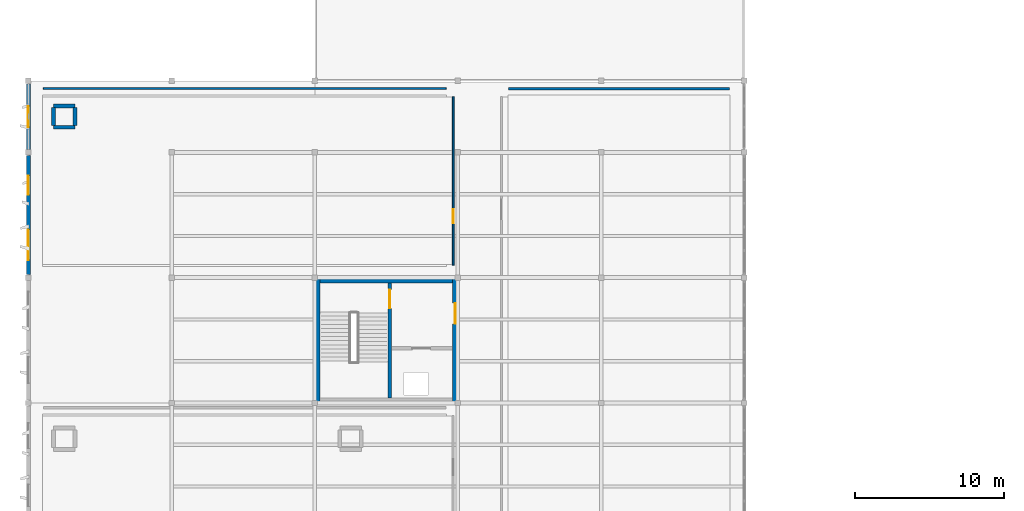
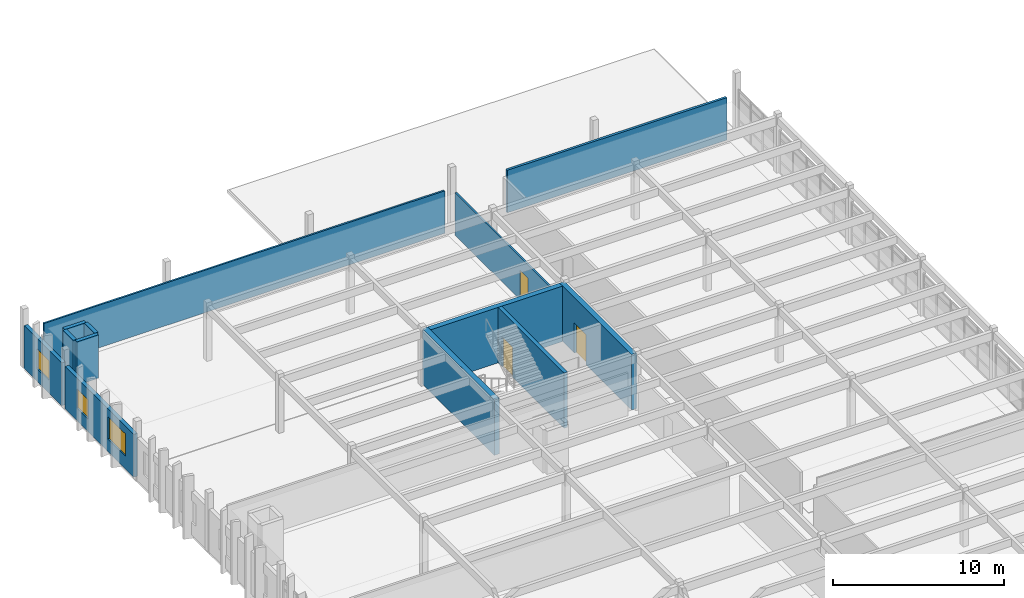
# One storey, part 45 of 61: 13 walls, 3 doors, 3 windows, 6 openings.
"""IFC4 building model written with IfcOpenShell, lengths in metres."""

from ifc_helpers import new_model, si_unit, direction, frame, frame_2d, origin, place, context, subcontext, project, spatial, rectangle, extrude, material, layer, layer_set, type_object, element, fill, save


model = new_model("IFC4")

# Units and contexts
model_context = context("Model", 3, precision=1e-05, world=origin(), true_north=direction((0.0, 1.0)))
body_context = subcontext(model_context, "Body", "Model", "MODEL_VIEW")
ifc_project = project(units=[si_unit("LENGTHUNIT", "METRE"), si_unit("AREAUNIT", "SQUARE_METRE"), si_unit("VOLUMEUNIT", "CUBIC_METRE"), si_unit("PLANEANGLEUNIT", "RADIAN"), si_unit("MASSUNIT", "GRAM", prefix="KILO")], contexts=[model_context])

# Site, building, storey
site_placement = place(None, origin())
site = spatial("IfcSite", under=ifc_project, at=site_placement, CompositionType="ELEMENT")
building_placement = place(site_placement, origin())
building = spatial("IfcBuilding", under=site, at=building_placement, Name="Kolvemor Railside Polytechnic", CompositionType="ELEMENT")
storey_placement = place(building_placement, frame((0.0, 0.0, 10.199951171875)))
storey = spatial("IfcBuildingStorey", under=building, at=storey_placement, Name="L02", CompositionType="ELEMENT", Elevation=10.199951171875)

# Walls
ifc_material_1 = material(Name="Concrete C40/50", Category="concrete")
ifc_layer_1 = layer(ifc_material_1, 0.35009765625, Name="WL-CORE-350")
ifc_layer_set_1 = layer_set([ifc_layer_1], Name="Concrete C40/50")
wall_type_1 = type_object("IfcWallType", Name="WL-CORE-350", PredefinedType="SHEAR", material=ifc_layer_set_1)
wall_1_placement = place(storey_placement, frame((19.199951171875, 68.22509765625, 0.0), z_axis=(0.0, 0.0, 1.0), x_axis=(1.0, 0.0, 0.0)))
element("IfcWall", 1, at=wall_1_placement, inside=storey, type_object=wall_type_1, Name="CORE-5 North Core Wall L02", PredefinedType="SHEAR", context=body_context, shape_type="SweptSolid", body=[
    extrude(rectangle(XDim=9.60009765625, YDim=0.35009765625, at=frame_2d((4.800048828125, 0.0))), origin(), (0.0, 0.0, 1.0), 3.949951171875),
])
wall_2_placement = place(storey_placement, frame((19.375, 60.0, 0.0), z_axis=(0.0, 0.0, 1.0), x_axis=(0.0, 1.0, 0.0)))
element("IfcWall", 2, at=wall_2_placement, inside=storey, type_object=wall_type_1, Name="CORE-5 West Core Wall L02", PredefinedType="SHEAR", context=body_context, shape_type="SweptSolid", body=[
    extrude(rectangle(XDim=8.39990234375, YDim=0.35009765625, at=frame_2d((4.199951171875, 0.0))), origin(), (0.0, 0.0, 1.0), 3.949951171875),
])

# Wall, opening, door
wall_3_placement = place(storey_placement, frame((28.625, 60.0, 0.0), z_axis=(0.0, 0.0, 1.0), x_axis=(0.0, 1.0, 0.0)))
wall_3 = element("IfcWall", 3, at=wall_3_placement, inside=storey, type_object=wall_type_1, Name="CORE-5 East Core Wall L02", PredefinedType="SHEAR", context=body_context, shape_type="SweptSolid", body=[
    extrude(rectangle(XDim=8.39990234375, YDim=0.35009765625, at=frame_2d((4.199951171875, 0.0))), origin(), (0.0, 0.0, 1.0), 3.949951171875),
])
opening_1_placement = place(wall_3_placement, frame((5.300048828125, 0.0, 0.0)))
opening_1 = element("IfcOpeningElement", 4, at=opening_1_placement, cuts=wall_3, Name="Opening D-LOB-5-L02", PredefinedType="OPENING", context=body_context, shape_type="SweptSolid", body=[
    extrude(rectangle(XDim=1.39990234375, YDim=2.14990234375, at=frame_2d((0.699951171875, 1.074951171875))), frame((0.0, 0.18505859375, 0.0), z_axis=(0.0, -1.0, 0.0), x_axis=(1.0, 0.0, 0.0)), (0.0, 0.0, 1.0), 0.3701171875),
])
ifc_material_2 = material(Name="Fire-rated hardwood and brushed stainless-steel door", Category="steel")
door_type_1 = type_object("IfcDoorType", Name="DR-FD60-140x215", OperationType="NOTDEFINED", PredefinedType="DOOR", material=ifc_material_2)
door_1_placement = place(opening_1_placement, origin())
door_1 = element("IfcDoor", 5, at=door_1_placement, inside=storey, type_object=door_type_1, Name="Core Lobby Fire Door CORE-5 L02", OperationType="SINGLE_SWING_RIGHT", OverallHeight=2.14990234375, OverallWidth=1.39990234375, PredefinedType="DOOR", context=body_context, shape_type="SweptSolid", body=[
    extrude(rectangle(XDim=1.39990234375, YDim=2.14990234375, at=frame_2d((0.699951171875, 1.074951171875))), frame((0.0, 0.02490234375, 0.0), z_axis=(0.0, -1.0, 0.0), x_axis=(1.0, 0.0, 0.0)), (0.0, 0.0, 1.0), 0.050048828125),
])
fill(opening_1, door_1)

# Wall, openings, windows
ifc_material_3 = material(Name="Cross-laminated timber CLT E1", Category="wood")
ifc_layer_2 = layer(ifc_material_3, 0.2548828125, Name="WL-EXT-TM-255")
ifc_layer_set_2 = layer_set([ifc_layer_2], Name="Cross-laminated timber CLT E1")
wall_type_2 = type_object("IfcWallType", Name="WL-EXT-TM-255", PredefinedType="SOLIDWALL", material=ifc_layer_set_2)
wall_4_placement = place(storey_placement, frame((0.0, 76.60009765625, 0.0), z_axis=(0.0, 0.0, 1.0), x_axis=(0.0, -1.0, 0.0)))
wall_4 = element("IfcWall", 6, at=wall_4_placement, inside=storey, type_object=wall_type_2, Name="Exterior Wall L02-0076", PredefinedType="SOLIDWALL", context=body_context, shape_type="SweptSolid", body=[
    extrude(rectangle(XDim=8.0, YDim=0.2548828125, at=frame_2d((4.0, 0.0))), origin(), (0.0, 0.0, 1.0), 3.050048828125),
])
opening_2_placement = place(wall_4_placement, frame((1.35009765625, 0.0, 0.89990234375)))
opening_2 = element("IfcOpeningElement", 7, at=opening_2_placement, cuts=wall_4, Name="Opening WN-M01", PredefinedType="OPENING", context=body_context, shape_type="SweptSolid", body=[
    extrude(rectangle(XDim=1.300048828125, YDim=1.39990234375, at=frame_2d((0.64990234375, 0.699951171875))), frame((0.0, 0.137451171875, 0.0), z_axis=(0.0, -1.0, 0.0), x_axis=(1.0, 0.0, 0.0)), (0.0, 0.0, 1.0), 0.27490234375),
])
opening_3_placement = place(wall_4_placement, frame((4.97509765625, 0.0, 0.89990234375)))
opening_3 = element("IfcOpeningElement", 8, at=opening_3_placement, cuts=wall_4, Name="Opening WN-M08", PredefinedType="OPENING", context=body_context, shape_type="SweptSolid", body=[
    extrude(rectangle(XDim=2.050048828125, YDim=1.60009765625, at=frame_2d((1.02490234375, 0.800048828125))), frame((0.0, 0.137451171875, 0.0), z_axis=(0.0, -1.0, 0.0), x_axis=(1.0, 0.0, 0.0)), (0.0, 0.0, 1.0), 0.27490234375),
])
ifc_material_4 = material(Name="Hurricane-laminated thermally broken aluminium window", Category="aluminium")
window_type_1 = type_object("IfcWindowType", Name="WN-MOD-130x140", PartitioningType="SINGLE_PANEL", PredefinedType="WINDOW", material=ifc_material_4)
window_1_placement = place(opening_2_placement, origin())
window_1 = element("IfcWindow", 9, at=window_1_placement, inside=storey, type_object=window_type_1, Name="Window L02-0079", OverallHeight=1.39990234375, OverallWidth=1.300048828125, PartitioningType="SINGLE_PANEL", PredefinedType="WINDOW", context=body_context, shape_type="SweptSolid", body=[
    extrude(rectangle(XDim=1.300048828125, YDim=1.39990234375, at=frame_2d((0.64990234375, 0.699951171875))), frame((0.0, 0.030029296875, 0.0), z_axis=(0.0, -1.0, 0.0), x_axis=(1.0, 0.0, 0.0)), (0.0, 0.0, 1.0), 0.06005859375),
])
fill(opening_2, window_1)
ifc_material_5 = material(Name="Hurricane-laminated thermally broken aluminium window", Category="aluminium")
window_type_2 = type_object("IfcWindowType", Name="WN-MOD-205x160", PartitioningType="DOUBLE_PANEL_VERTICAL", PredefinedType="WINDOW", material=ifc_material_5)
window_2_placement = place(opening_3_placement, origin())
window_2 = element("IfcWindow", 10, at=window_2_placement, inside=storey, type_object=window_type_2, Name="Window L02-0080", OverallHeight=1.60009765625, OverallWidth=2.050048828125, PartitioningType="SINGLE_PANEL", PredefinedType="WINDOW", context=body_context, shape_type="SweptSolid", body=[
    extrude(rectangle(XDim=2.050048828125, YDim=1.60009765625, at=frame_2d((1.02490234375, 0.800048828125))), frame((0.0, 0.030029296875, 0.0), z_axis=(0.0, -1.0, 0.0), x_axis=(1.0, 0.0, 0.0)), (0.0, 0.0, 1.0), 0.06005859375),
])
fill(opening_3, window_2)

# Wall, opening, window
wall_5_placement = place(storey_placement, frame((0.0, 81.39990234375, 0.0), z_axis=(0.0, 0.0, 1.0), x_axis=(0.0, -1.0, 0.0)))
wall_5 = element("IfcWall", 11, at=wall_5_placement, inside=storey, type_object=wall_type_2, Name="Exterior Wall L02-0083", PredefinedType="SOLIDWALL", context=body_context, shape_type="SweptSolid", body=[
    extrude(rectangle(XDim=4.39990234375, YDim=0.2548828125, at=frame_2d((2.199951171875, 0.0))), origin(), (0.0, 0.0, 1.0), 3.050048828125),
])
opening_4_placement = place(wall_5_placement, frame((1.5, 0.0, 0.89990234375)))
opening_4 = element("IfcOpeningElement", 12, at=opening_4_placement, cuts=wall_5, Name="Opening WN-ADM1", PredefinedType="OPENING", context=body_context, shape_type="SweptSolid", body=[
    extrude(rectangle(XDim=1.39990234375, YDim=1.39990234375, at=frame_2d((0.699951171875, 0.699951171875))), frame((0.0, 0.137451171875, 0.0), z_axis=(0.0, -1.0, 0.0), x_axis=(1.0, 0.0, 0.0)), (0.0, 0.0, 1.0), 0.27490234375),
])
ifc_material_6 = material(Name="Hurricane-laminated thermally broken aluminium window", Category="aluminium")
window_type_3 = type_object("IfcWindowType", Name="WN-ADM-140x140", PartitioningType="SINGLE_PANEL", PredefinedType="WINDOW", material=ifc_material_6)
window_3_placement = place(opening_4_placement, origin())
window_3 = element("IfcWindow", 13, at=window_3_placement, inside=storey, type_object=window_type_3, Name="Window L02-0087", OverallHeight=1.39990234375, OverallWidth=1.39990234375, PartitioningType="SINGLE_PANEL", PredefinedType="WINDOW", context=body_context, shape_type="SweptSolid", body=[
    extrude(rectangle(XDim=1.39990234375, YDim=1.39990234375, at=frame_2d((0.699951171875, 0.699951171875))), frame((0.0, 0.030029296875, 0.0), z_axis=(0.0, -1.0, 0.0), x_axis=(1.0, 0.0, 0.0)), (0.0, 0.0, 1.0), 0.06005859375),
])
fill(opening_4, window_3)

# Wall, opening, door
ifc_material_7 = material(Name="Wet-area tile-backer partition")
ifc_layer_3 = layer(ifc_material_7, 0.1201171875, Name="WL-PART-120")
ifc_layer_set_3 = layer_set([ifc_layer_3], Name="Wet-area tile-backer partition")
wall_type_3 = type_object("IfcWallType", Name="WL-PART-120", PredefinedType="PARTITIONING", material=ifc_layer_set_3)
wall_6_placement = place(storey_placement, frame((28.47998046875, 69.25, 0.0), z_axis=(0.0, 0.0, 1.0), x_axis=(0.0, 1.0, 0.0)))
wall_6 = element("IfcWall", 14, at=wall_6_placement, inside=storey, type_object=wall_type_3, Name="Partition Wall L02-0139", PredefinedType="PARTITIONING", context=body_context, shape_type="SweptSolid", body=[
    extrude(rectangle(XDim=11.300048828125, YDim=0.1201171875, at=frame_2d((5.64990234375, 0.0))), origin(), (0.0, 0.0, 1.0), 3.030029296875),
])
opening_5_placement = place(wall_6_placement, frame((2.787109375, 0.0, 0.0)))
opening_5 = element("IfcOpeningElement", 15, at=opening_5_placement, cuts=wall_6, Name="Opening D-02079", PredefinedType="OPENING", context=body_context, shape_type="SweptSolid", body=[
    extrude(rectangle(XDim=0.949951171875, YDim=2.10009765625, at=frame_2d((0.47509765625, 1.050048828125))), frame((0.0, 0.070068359375, 0.0), z_axis=(0.0, -1.0, 0.0), x_axis=(1.0, 0.0, 0.0)), (0.0, 0.0, 1.0), 0.14013671875),
])
ifc_material_8 = material(Name="Solid hardwood acoustic door", Category="wood")
door_type_2 = type_object("IfcDoorType", Name="DR-WC-095x210", OperationType="NOTDEFINED", PredefinedType="DOOR", material=ifc_material_8)
door_2_placement = place(opening_5_placement, origin())
door_2 = element("IfcDoor", 16, at=door_2_placement, inside=storey, type_object=door_type_2, Name="Room Door D-02079 (Seminar Wing Public and Accessible WC L02)", OperationType="SINGLE_SWING_RIGHT", OverallHeight=2.10009765625, OverallWidth=0.949951171875, PredefinedType="DOOR", context=body_context, shape_type="SweptSolid", body=[
    extrude(rectangle(XDim=0.949951171875, YDim=2.10009765625, at=frame_2d((0.47509765625, 1.050048828125))), frame((0.0, 0.02490234375, 0.0), z_axis=(0.0, -1.0, 0.0), x_axis=(1.0, 0.0, 0.0)), (0.0, 0.0, 1.0), 0.050048828125),
])
fill(opening_5, door_2)

# Walls
wall_7_placement = place(storey_placement, frame((1.0, 81.080078125, 0.0), z_axis=(0.0, 0.0, 1.0), x_axis=(1.0, 0.0, 0.0)))
element("IfcWall", 17, at=wall_7_placement, inside=storey, type_object=wall_type_3, Name="Demising Partition L02-0140", PredefinedType="PARTITIONING", context=body_context, shape_type="SweptSolid", body=[
    extrude(rectangle(XDim=27.0, YDim=0.1201171875, at=frame_2d((13.5, 0.0))), origin(), (0.0, 0.0, 1.0), 3.030029296875),
])
ifc_material_9 = material(Name="Fire-rated laboratory corridor partition")
ifc_layer_4 = layer(ifc_material_9, 0.1650390625, Name="WL-PART-165")
ifc_layer_set_4 = layer_set([ifc_layer_4], Name="Fire-rated laboratory corridor partition")
wall_type_4 = type_object("IfcWallType", Name="WL-PART-165", PredefinedType="PARTITIONING", material=ifc_layer_set_4)
wall_8_placement = place(storey_placement, frame((32.199951171875, 81.080078125, 0.0), z_axis=(0.0, 0.0, 1.0), x_axis=(1.0, 0.0, 0.0)))
element("IfcWall", 18, at=wall_8_placement, inside=storey, type_object=wall_type_4, Name="Demising Partition L02-0138", PredefinedType="PARTITIONING", context=body_context, shape_type="SweptSolid", body=[
    extrude(rectangle(XDim=14.800048828125, YDim=0.1650390625, at=frame_2d((7.39990234375, 0.0))), origin(), (0.0, 0.0, 1.0), 3.030029296875),
])

# Wall, opening, door
ifc_material_10 = material(Name="Concrete C40/50", Category="concrete")
ifc_layer_5 = layer(ifc_material_10, 0.25, Name="WL-SHFT-250")
ifc_layer_set_5 = layer_set([ifc_layer_5], Name="Concrete C40/50")
wall_type_5 = type_object("IfcWallType", Name="WL-SHFT-250", PredefinedType="SHEAR", material=ifc_layer_set_5)
wall_9_placement = place(storey_placement, frame((24.22509765625, 68.050048828125, 0.0), z_axis=(0.0, 0.0, 1.0), x_axis=(0.0, -1.0, 0.0)))
wall_9 = element("IfcWall", 19, at=wall_9_placement, inside=storey, type_object=wall_type_5, Name="CORE-5 Stair-Lobby Divider Wall L02", PredefinedType="SHEAR", context=body_context, shape_type="SweptSolid", body=[
    extrude(rectangle(XDim=7.699951171875, YDim=0.25, at=frame_2d((3.85009765625, 0.0))), origin(), (0.0, 0.0, 1.0), 3.949951171875),
])
opening_6_placement = place(wall_9_placement, frame((0.449951171875, 0.0, 0.0)))
opening_6 = element("IfcOpeningElement", 20, at=opening_6_placement, cuts=wall_9, Name="Opening D-ST-5-L02", PredefinedType="OPENING", context=body_context, shape_type="SweptSolid", body=[
    extrude(rectangle(XDim=1.25, YDim=2.14990234375, at=frame_2d((0.625, 1.074951171875))), frame((0.0, 0.135009765625, 0.0), z_axis=(0.0, -1.0, 0.0), x_axis=(1.0, 0.0, 0.0)), (0.0, 0.0, 1.0), 0.27001953125),
])
ifc_material_11 = material(Name="Fire-rated hardwood and brushed stainless-steel door", Category="steel")
door_type_3 = type_object("IfcDoorType", Name="DR-FD90-125x215", OperationType="NOTDEFINED", PredefinedType="DOOR", material=ifc_material_11)
door_3_placement = place(opening_6_placement, origin())
door_3 = element("IfcDoor", 21, at=door_3_placement, inside=storey, type_object=door_type_3, Name="Stair Fire Door ST-5 L02", OperationType="SINGLE_SWING_RIGHT", OverallHeight=2.14990234375, OverallWidth=1.25, PredefinedType="DOOR", context=body_context, shape_type="SweptSolid", body=[
    extrude(rectangle(XDim=1.25, YDim=2.14990234375, at=frame_2d((0.625, 1.074951171875))), frame((0.0, 0.02490234375, 0.0), z_axis=(0.0, -1.0, 0.0), x_axis=(1.0, 0.0, 0.0)), (0.0, 0.0, 1.0), 0.050048828125),
])
fill(opening_6, door_3)

# Walls
ifc_material_12 = material(Name="Concrete C40/50", Category="concrete")
ifc_layer_6 = layer(ifc_material_12, 0.25, Name="WL-TIER-RC")
ifc_layer_set_6 = layer_set([ifc_layer_6], Name="Concrete C40/50")
wall_type_6 = type_object("IfcWallType", Name="WL-TIER-RC", PredefinedType="SHEAR", material=ifc_layer_set_6)
for number, where, z_axis, x_axis, name in (
    (22, (1.679931640625, 78.47998046875, 0.0), (0.0, 0.0, 1.0), (1.0, 0.0, 0.0), "MEP Riser Enclosure Wall L02-65S"),
    (23, (1.679931640625, 79.919921875, 0.0), (0.0, 0.0, 1.0), (1.0, 0.0, 0.0), "MEP Riser Enclosure Wall L02-65N"),
):
    element("IfcWall", number, at=place(storey_placement, frame(where, z_axis=z_axis, x_axis=x_axis)), inside=storey, type_object=wall_type_6, Name=name, PredefinedType="SHEAR", context=body_context, shape_type="SweptSolid", body=[
        extrude(rectangle(XDim=1.440185546875, YDim=0.25, at=frame_2d((0.72021484375, 0.0))), origin(), (0.0, 0.0, 1.0), 3.10009765625),
    ])
for number, where, z_axis, x_axis, name in (
    (24, (1.679931640625, 78.60009765625, 0.0), (0.0, 0.0, 1.0), (0.0, 1.0, 0.0), "MEP Riser Enclosure Wall L02-65W"),
    (25, (3.1201171875, 78.60009765625, 0.0), (0.0, 0.0, 1.0), (0.0, 1.0, 0.0), "MEP Riser Enclosure Wall L02-65E"),
):
    element("IfcWall", number, at=place(storey_placement, frame(where, z_axis=z_axis, x_axis=x_axis)), inside=storey, type_object=wall_type_6, Name=name, PredefinedType="SHEAR", context=body_context, shape_type="SweptSolid", body=[
        extrude(rectangle(XDim=1.199951171875, YDim=0.25, at=frame_2d((0.60009765625, 0.0))), origin(), (0.0, 0.0, 1.0), 3.10009765625),
    ])

save(model, "model.ifc")
